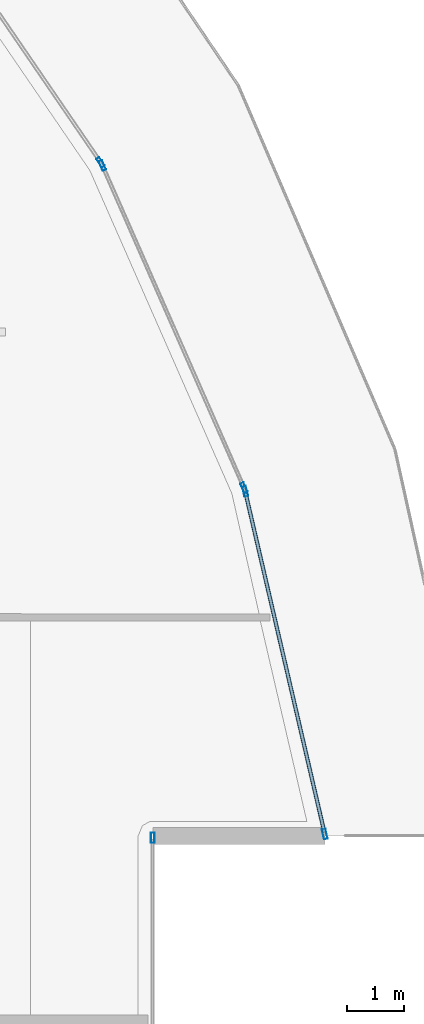
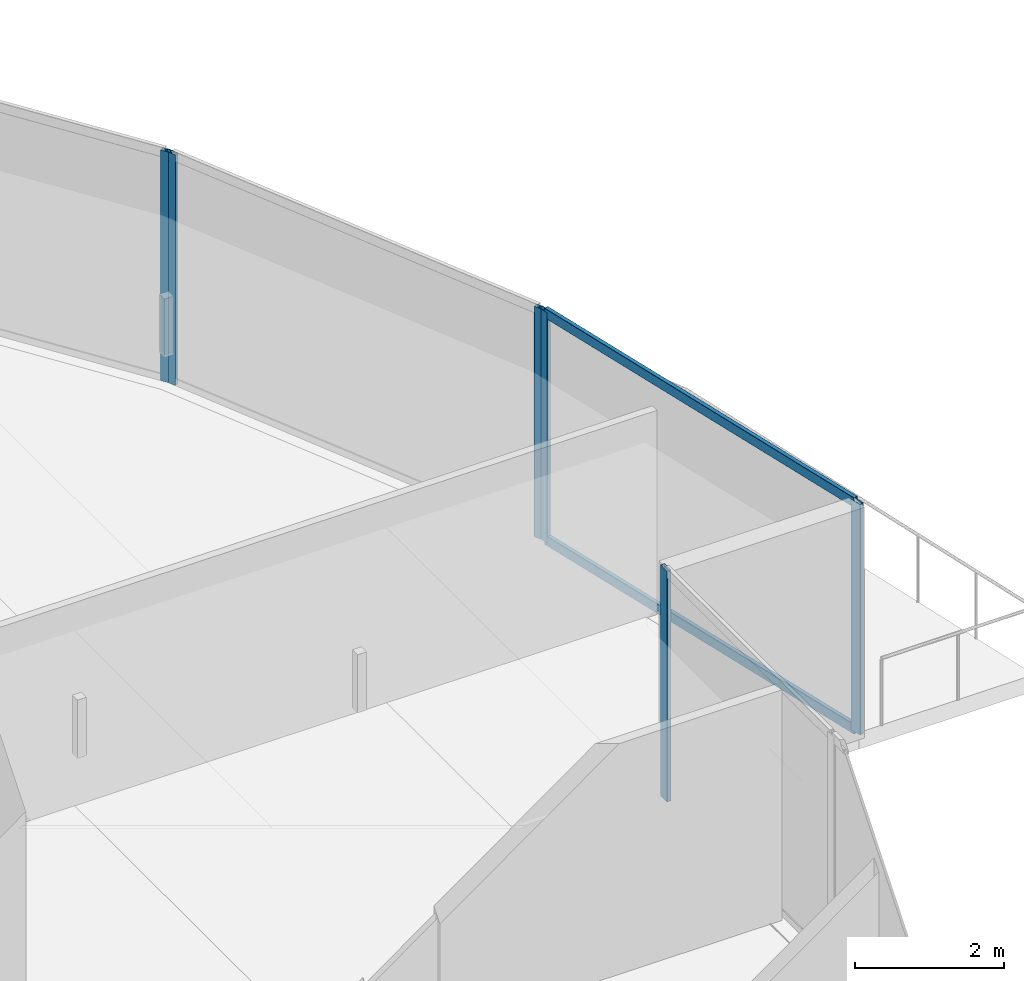
# One storey, part 20 of 37: 8 members, 4 elements without a shape of their own.
"""IFC4 building model written with IfcOpenShell, lengths in metres."""

from ifc_helpers import new_model, si_unit, direction, frame, origin, origin_2d, place, context, subcontext, project, spatial, hollow_rectangle, extrude, material, layer, layer_set, material_profile, profile_set, type_object, element, aggregate, save


model = new_model("IFC4")

# Units and contexts
model_context = context("Model", 3, precision=1e-05, world=origin(), true_north=direction((0.0, 1.0)))
body_context = subcontext(model_context, "Body", "Model", "MODEL_VIEW")
ifc_project = project(units=[si_unit("LENGTHUNIT", "METRE"), si_unit("AREAUNIT", "SQUARE_METRE"), si_unit("VOLUMEUNIT", "CUBIC_METRE"), si_unit("PLANEANGLEUNIT", "RADIAN"), si_unit("MASSUNIT", "GRAM", prefix="KILO")], contexts=[model_context])

# Site, building, storey
site_placement = place(None, origin())
site = spatial("IfcSite", under=ifc_project, at=site_placement, CompositionType="ELEMENT")
building_placement = place(site_placement, origin())
building = spatial("IfcBuilding", under=site, at=building_placement, Name="Qorvath Tower", CompositionType="ELEMENT")
storey_placement = place(building_placement, frame((0.0, 0.0, 196.949951171875)))
storey = spatial("IfcBuildingStorey", under=building, at=storey_placement, Name="L45", CompositionType="ELEMENT", Elevation=196.949951171875)

# Curtain wall, member
ifc_material_1 = material(Name="Anodised aluminium and triple low-E glass", Category="aluminium")
ifc_layer = layer(ifc_material_1, 0.179931640625)
ifc_layer_set = layer_set([ifc_layer], Name="CW-SYS-3")
curtain_wall_type = type_object("IfcCurtainWallType", Name="CW-SYS-3", PredefinedType="NOTDEFINED", material=ifc_layer_set)
curtain_wall_1_placement = place(storey_placement, origin())
curtain_wall_1 = element("IfcCurtainWall", 1, at=curtain_wall_1_placement, inside=storey, type_object=curtain_wall_type, Name="Curtain Wall CW-3 CW-T-L45-9.1", PredefinedType="NOTDEFINED")
ifc_material_2 = material(Name="Anodised aluminium 6063-T6", Category="aluminium")
ifc_material_profile_1 = material_profile(ifc_material_2, hollow_rectangle(XDim=0.06494140625, YDim=0.179931640625, WallThickness=0.00341796875, InnerFilletRadius=0.00341796875, OuterFilletRadius=0.007080078125, at=origin_2d()), Name="CWM 180x65")
ifc_profile_set_1 = profile_set([ifc_material_profile_1], Name="Anodised aluminium 6063-T6")
member_type_1 = type_object("IfcMemberType", Name="CWM-180", PredefinedType="MULLION", material=ifc_profile_set_1)
member_1_placement = place(storey_placement, frame((-1.3291015625, 4.4873046875, 0.0), z_axis=(0.0, 0.0, 1.0), x_axis=(-1.0, 0.0, 0.0)))
member_1 = element("IfcMember", 2, at=member_1_placement, type_object=member_type_1, Name="CW-3 mullion 3", PredefinedType="MULLION", context=body_context, shape_type="SweptSolid", body=[
    extrude(hollow_rectangle(XDim=0.06494140625, YDim=0.179931640625, WallThickness=0.00341796875, InnerFilletRadius=0.00341796875, OuterFilletRadius=0.007080078125, at=origin_2d()), origin(), (0.0, 0.0, 1.0), 3.780029296875),
])
aggregate(curtain_wall_1, [member_1])

# Curtain wall, members
curtain_wall_2_placement = place(storey_placement, origin())
curtain_wall_2 = element("IfcCurtainWall", 3, at=curtain_wall_2_placement, inside=storey, type_object=curtain_wall_type, Name="Curtain Wall CW-3 CW-T-L45-11.1", PredefinedType="NOTDEFINED")
member_2_placement = place(storey_placement, frame((1.6767578125, 4.551513671875, 0.0), z_axis=(0.0, 0.0, 1.0), x_axis=(-0.974064216624, -0.226271743469, 0.0)))
member_2 = element("IfcMember", 4, at=member_2_placement, type_object=member_type_1, Name="CW-3 mullion 1", PredefinedType="MULLION", context=body_context, shape_type="SweptSolid", body=[
    extrude(hollow_rectangle(XDim=0.06494140625, YDim=0.179931640625, WallThickness=0.00341796875, InnerFilletRadius=0.00341796875, OuterFilletRadius=0.007080078125, at=origin_2d()), origin(), (0.0, 0.0, 1.0), 3.780029296875),
])
member_3_placement = place(storey_placement, frame((0.28515625, 10.5419921875, 0.0), z_axis=(0.0, 0.0, 1.0), x_axis=(-0.974064216624, -0.226271743469, 0.0)))
member_3 = element("IfcMember", 5, at=member_3_placement, type_object=member_type_1, Name="CW-3 mullion 2", PredefinedType="MULLION", context=body_context, shape_type="SweptSolid", body=[
    extrude(hollow_rectangle(XDim=0.06494140625, YDim=0.179931640625, WallThickness=0.00341796875, InnerFilletRadius=0.00341796875, OuterFilletRadius=0.007080078125, at=origin_2d()), origin(), (0.0, 0.0, 1.0), 3.780029296875),
])

curtain_wall_3_placement = place(storey_placement, origin())
curtain_wall_3 = element("IfcCurtainWall", 6, at=curtain_wall_3_placement, inside=storey, type_object=curtain_wall_type, Name="Curtain Wall CW-3 CW-T-L45-12.1", PredefinedType="NOTDEFINED")
member_4_placement = place(storey_placement, frame((0.2646484375, 10.603515625, 0.0), z_axis=(0.0, 0.0, 1.0), x_axis=(-0.915498802884, -0.402320695364, 0.0)))
member_4 = element("IfcMember", 7, at=member_4_placement, type_object=member_type_1, Name="CW-3 mullion 1", PredefinedType="MULLION", context=body_context, shape_type="SweptSolid", body=[
    extrude(hollow_rectangle(XDim=0.06494140625, YDim=0.179931640625, WallThickness=0.00341796875, InnerFilletRadius=0.00341796875, OuterFilletRadius=0.007080078125, at=origin_2d()), origin(), (0.0, 0.0, 1.0), 3.780029296875),
])
member_5_placement = place(storey_placement, frame((-2.209716796875, 16.23388671875, 0.0), z_axis=(0.0, 0.0, 1.0), x_axis=(-0.915498802884, -0.402320695364, 0.0)))
member_5 = element("IfcMember", 8, at=member_5_placement, type_object=member_type_1, Name="CW-3 mullion 2", PredefinedType="MULLION", context=body_context, shape_type="SweptSolid", body=[
    extrude(hollow_rectangle(XDim=0.06494140625, YDim=0.179931640625, WallThickness=0.00341796875, InnerFilletRadius=0.00341796875, OuterFilletRadius=0.007080078125, at=origin_2d()), origin(), (0.0, 0.0, 1.0), 3.780029296875),
])
aggregate(curtain_wall_3, [member_4, member_5])

# Curtain wall, member
curtain_wall_4_placement = place(storey_placement, origin())
curtain_wall_4 = element("IfcCurtainWall", 9, at=curtain_wall_4_placement, inside=storey, type_object=curtain_wall_type, Name="Curtain Wall CW-3 CW-T-L45-13.1", PredefinedType="NOTDEFINED")
member_6_placement = place(storey_placement, frame((-2.240966796875, 16.29052734375, 0.0), z_axis=(0.0, 0.0, 1.0), x_axis=(-0.825424850974, -0.56451201528, 0.0)))
member_6 = element("IfcMember", 10, at=member_6_placement, type_object=member_type_1, Name="CW-3 mullion 1", PredefinedType="MULLION", context=body_context, shape_type="SweptSolid", body=[
    extrude(hollow_rectangle(XDim=0.06494140625, YDim=0.179931640625, WallThickness=0.00341796875, InnerFilletRadius=0.00341796875, OuterFilletRadius=0.007080078125, at=origin_2d()), origin(), (0.0, 0.0, 1.0), 3.780029296875),
])
aggregate(curtain_wall_4, [member_6])

# Member
ifc_material_3 = material(Name="Anodised aluminium 6063-T6", Category="aluminium")
ifc_material_profile_2 = material_profile(ifc_material_3, hollow_rectangle(XDim=0.06494140625, YDim=0.159912109375, WallThickness=0.00341796875, InnerFilletRadius=0.00341796875, OuterFilletRadius=0.007080078125, at=origin_2d()), Name="CWT 160x65")
ifc_profile_set_2 = profile_set([ifc_material_profile_2], Name="Anodised aluminium 6063-T6")
member_type_2 = type_object("IfcMemberType", Name="CWT-160", PredefinedType="USERDEFINED", material=ifc_profile_set_2)
member_7_placement = place(storey_placement, frame((1.66943359375, 4.5830078125, 0.032470703125), z_axis=(-0.226274499404, 0.974063576426, 0.0), x_axis=(-0.974063576426, -0.226274499404, 0.0)))
member_7 = element("IfcMember", 11, at=member_7_placement, type_object=member_type_2, Name="CW-3 transom 1.1", ObjectType="TRANSOM", PredefinedType="USERDEFINED", context=body_context, shape_type="SweptSolid", body=[
    extrude(hollow_rectangle(XDim=0.06494140625, YDim=0.159912109375, WallThickness=0.00341796875, InnerFilletRadius=0.00341796875, OuterFilletRadius=0.007080078125, at=origin_2d()), origin(), (0.0, 0.0, 1.0), 6.085205078125),
])

member_8_placement = place(storey_placement, frame((1.66943359375, 4.5830078125, 3.74755859375), z_axis=(-0.226274499404, 0.974063576426, 0.0), x_axis=(-0.974063576426, -0.226274499404, 0.0)))
member_8 = element("IfcMember", 12, at=member_8_placement, type_object=member_type_2, Name="CW-3 transom 1.2", ObjectType="TRANSOM", PredefinedType="USERDEFINED", context=body_context, shape_type="SweptSolid", body=[
    extrude(hollow_rectangle(XDim=0.06494140625, YDim=0.159912109375, WallThickness=0.00341796875, InnerFilletRadius=0.00341796875, OuterFilletRadius=0.007080078125, at=origin_2d()), origin(), (0.0, 0.0, 1.0), 6.085205078125),
])

aggregate(curtain_wall_2, [member_2, member_3, member_7, member_8])

save(model, "model.ifc")
